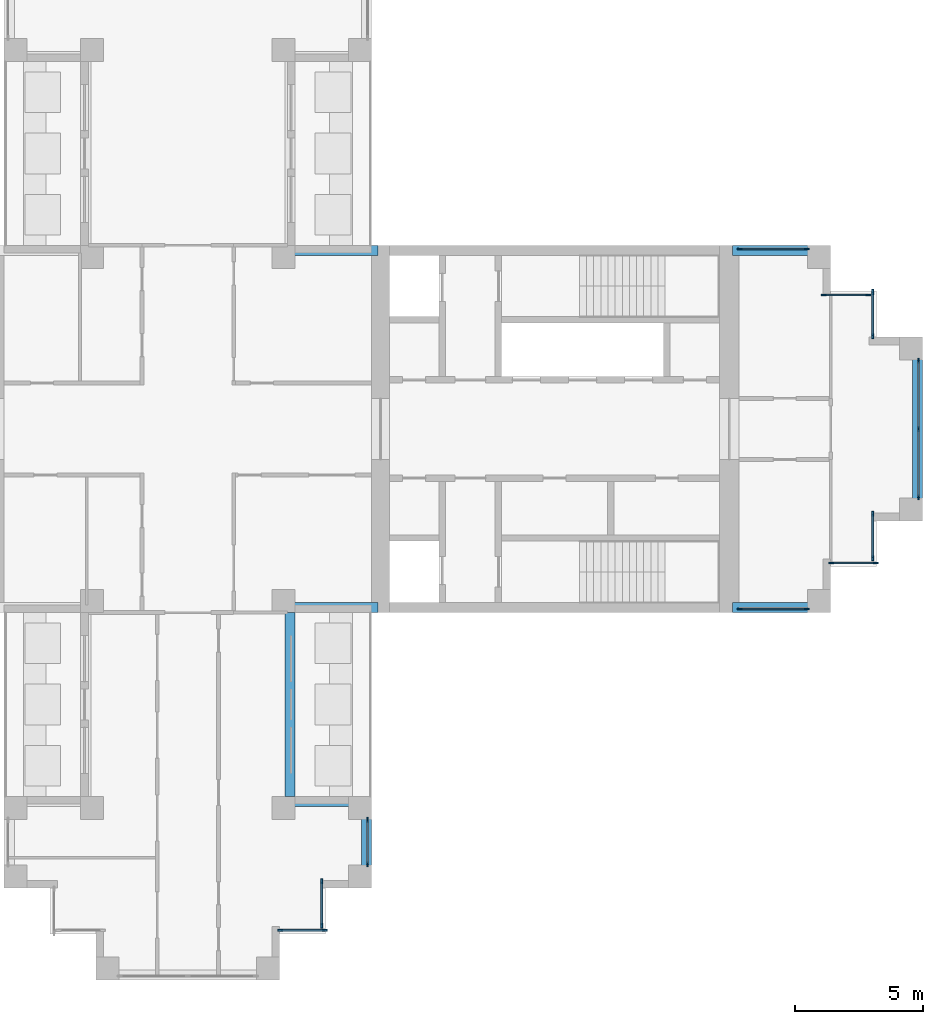
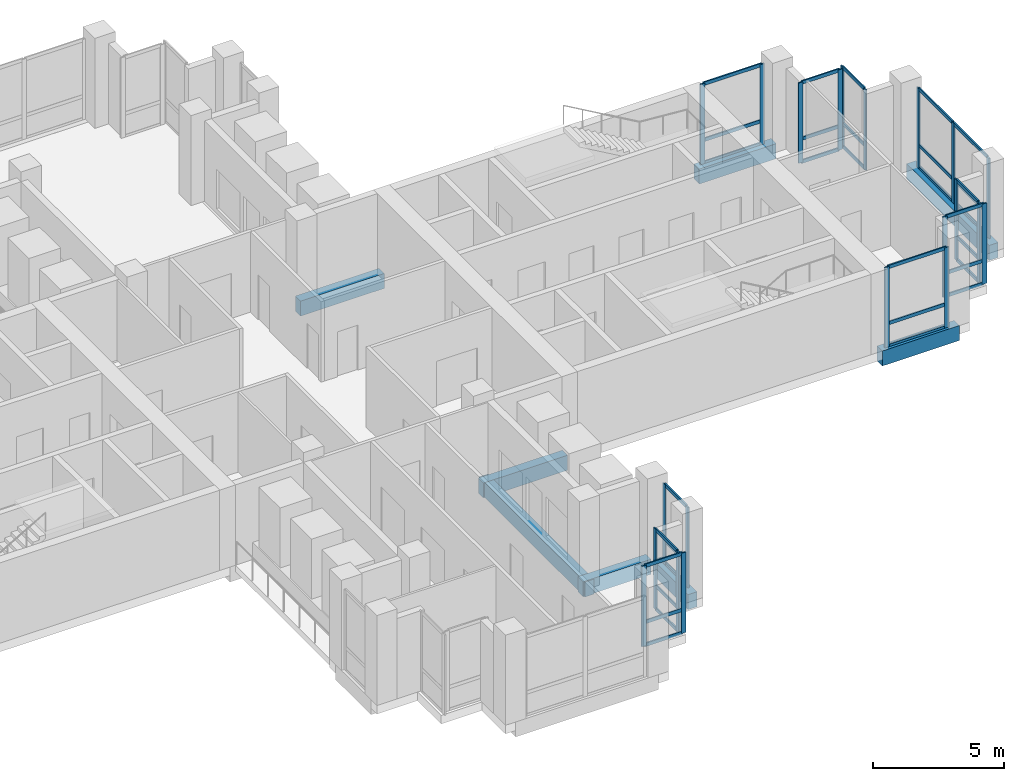
# One storey, part 4 of 13: 54 members, 8 beams, 10 elements without a shape of their own.
"""IFC4 building model written with IfcOpenShell, lengths in metres."""

from ifc_helpers import new_model, si_unit, direction, frame, origin, origin_2d, place, context, subcontext, project, spatial, rectangle, extrude, material, material_profile, profile_set, type_object, element, aggregate, save


model = new_model("IFC4")

# Units and contexts
model_context = context("Model", 3, precision=1e-05, world=origin(), true_north=direction((0.0, 1.0)))
body_context = subcontext(model_context, "Body", "Model", "MODEL_VIEW")
ifc_project = project(units=[si_unit("LENGTHUNIT", "METRE"), si_unit("AREAUNIT", "SQUARE_METRE"), si_unit("VOLUMEUNIT", "CUBIC_METRE"), si_unit("PLANEANGLEUNIT", "RADIAN"), si_unit("MASSUNIT", "GRAM", prefix="KILO")], contexts=[model_context])

# Site, building, storey
site_placement = place(None, origin())
site = spatial("IfcSite", under=ifc_project, at=site_placement, CompositionType="ELEMENT")
building_placement = place(site_placement, origin())
building = spatial("IfcBuilding", under=site, at=building_placement, Name="Fustian Cross Tower", CompositionType="ELEMENT")
storey_placement = place(building_placement, frame((0.0, 0.0, 237.89990234375)))
storey = spatial("IfcBuildingStorey", under=building, at=storey_placement, Name="L75", CompositionType="ELEMENT", Elevation=237.89990234375)

# Curtain wall, members
ifc_material_1 = material(Name="Dark anodised aluminium and double glazing", Category="aluminium")
curtain_wall_type = type_object("IfcCurtainWallType", Name="CW2 SUMMIT LOUNGE CURTAIN WALL", PredefinedType="NOTDEFINED", material=ifc_material_1)
curtain_wall_1_placement = place(storey_placement, origin())
curtain_wall_1 = element("IfcCurtainWall", 1, at=curtain_wall_1_placement, inside=storey, type_object=curtain_wall_type, Name="Curtain wall", PredefinedType="NOTDEFINED")
ifc_material_2 = material(Name="Aluminium alloy 6063", Category="aluminium")
ifc_material_profile_1 = material_profile(ifc_material_2, rectangle(XDim=0.06005859375, YDim=0.199951171875, at=origin_2d()), Name="CW2 MULLION 60X200")
ifc_profile_set_1 = profile_set([ifc_material_profile_1], Name="Aluminium alloy 6063")
member_type_1 = type_object("IfcMemberType", Name="CW2 MULLION 60X200", PredefinedType="MULLION", material=ifc_profile_set_1)
member_1_placement = place(storey_placement, frame((21.6298828125, -7.050048828125, 0.0), z_axis=(0.0, 0.0, 1.0), x_axis=(0.0, 1.0, 0.0)))
member_1 = element("IfcMember", 2, at=member_1_placement, type_object=member_type_1, Name="CW2 mullion 1", PredefinedType="MULLION", context=body_context, shape_type="SweptSolid", body=[
    extrude(rectangle(XDim=0.06005859375, YDim=0.199951171875, at=origin_2d()), origin(), (0.0, 0.0, 1.0), 3.75),
])
member_2_placement = place(storey_placement, frame((24.27001953125, -7.050048828125, 0.0), z_axis=(0.0, 0.0, 1.0), x_axis=(0.0, 1.0, 0.0)))
member_2 = element("IfcMember", 3, at=member_2_placement, type_object=member_type_1, Name="CW2 mullion 2", PredefinedType="MULLION", context=body_context, shape_type="SweptSolid", body=[
    extrude(rectangle(XDim=0.06005859375, YDim=0.199951171875, at=origin_2d()), origin(), (0.0, 0.0, 1.0), 3.75),
])

curtain_wall_2_placement = place(storey_placement, origin())
curtain_wall_2 = element("IfcCurtainWall", 4, at=curtain_wall_2_placement, inside=storey, type_object=curtain_wall_type, Name="Curtain wall", PredefinedType="NOTDEFINED")
member_3_placement = place(storey_placement, frame((25.22998046875, -5.25, 0.0), z_axis=(0.0, 0.0, 1.0), x_axis=(0.0, 1.0, 0.0)))
member_3 = element("IfcMember", 5, at=member_3_placement, type_object=member_type_1, Name="CW2 mullion 1", PredefinedType="MULLION", context=body_context, shape_type="SweptSolid", body=[
    extrude(rectangle(XDim=0.06005859375, YDim=0.199951171875, at=origin_2d()), origin(), (0.0, 0.0, 1.0), 3.75),
])
member_4_placement = place(storey_placement, frame((26.969970703125, -5.25, 0.0), z_axis=(0.0, 0.0, 1.0), x_axis=(0.0, 1.0, 0.0)))
member_4 = element("IfcMember", 6, at=member_4_placement, type_object=member_type_1, Name="CW2 mullion 2", PredefinedType="MULLION", context=body_context, shape_type="SweptSolid", body=[
    extrude(rectangle(XDim=0.06005859375, YDim=0.199951171875, at=origin_2d()), origin(), (0.0, 0.0, 1.0), 3.75),
])

curtain_wall_3_placement = place(storey_placement, origin())
curtain_wall_3 = element("IfcCurtainWall", 7, at=curtain_wall_3_placement, inside=storey, type_object=curtain_wall_type, Name="Curtain wall", PredefinedType="NOTDEFINED")
member_5_placement = place(storey_placement, frame((26.85009765625, -5.070068359375, 0.0), z_axis=(0.0, 0.0, 1.0), x_axis=(-1.0, 0.0, 0.0)))
member_5 = element("IfcMember", 8, at=member_5_placement, type_object=member_type_1, Name="CW2 mullion 1", PredefinedType="MULLION", context=body_context, shape_type="SweptSolid", body=[
    extrude(rectangle(XDim=0.06005859375, YDim=0.199951171875, at=origin_2d()), origin(), (0.0, 0.0, 1.0), 3.75),
])
member_6_placement = place(storey_placement, frame((26.85009765625, -3.330078125, 0.0), z_axis=(0.0, 0.0, 1.0), x_axis=(-1.0, 0.0, 0.0)))
member_6 = element("IfcMember", 9, at=member_6_placement, type_object=member_type_1, Name="CW2 mullion 2", PredefinedType="MULLION", context=body_context, shape_type="SweptSolid", body=[
    extrude(rectangle(XDim=0.06005859375, YDim=0.199951171875, at=origin_2d()), origin(), (0.0, 0.0, 1.0), 3.75),
])

curtain_wall_4_placement = place(storey_placement, origin())
curtain_wall_4 = element("IfcCurtainWall", 10, at=curtain_wall_4_placement, inside=storey, type_object=curtain_wall_type, Name="Curtain wall", PredefinedType="NOTDEFINED")
member_7_placement = place(storey_placement, frame((28.64990234375, -2.669921875, 0.0), z_axis=(0.0, 0.0, 1.0), x_axis=(-1.0, 0.0, 0.0)))
member_7 = element("IfcMember", 11, at=member_7_placement, type_object=member_type_1, Name="CW2 mullion 1", PredefinedType="MULLION", context=body_context, shape_type="SweptSolid", body=[
    extrude(rectangle(XDim=0.06005859375, YDim=0.199951171875, at=origin_2d()), origin(), (0.0, 0.0, 1.0), 3.75),
])
member_8_placement = place(storey_placement, frame((28.64990234375, 0.0, 0.0), z_axis=(0.0, 0.0, 1.0), x_axis=(-1.0, 0.0, 0.0)))
member_8 = element("IfcMember", 12, at=member_8_placement, type_object=member_type_1, Name="CW2 mullion 2", PredefinedType="MULLION", context=body_context, shape_type="SweptSolid", body=[
    extrude(rectangle(XDim=0.06005859375, YDim=0.199951171875, at=origin_2d()), origin(), (0.0, 0.0, 1.0), 3.75),
])
member_9_placement = place(storey_placement, frame((28.64990234375, 2.669921875, 0.0), z_axis=(0.0, 0.0, 1.0), x_axis=(-1.0, 0.0, 0.0)))
member_9 = element("IfcMember", 13, at=member_9_placement, type_object=member_type_1, Name="CW2 mullion 3", PredefinedType="MULLION", context=body_context, shape_type="SweptSolid", body=[
    extrude(rectangle(XDim=0.06005859375, YDim=0.199951171875, at=origin_2d()), origin(), (0.0, 0.0, 1.0), 3.75),
])

curtain_wall_5_placement = place(storey_placement, origin())
curtain_wall_5 = element("IfcCurtainWall", 14, at=curtain_wall_5_placement, inside=storey, type_object=curtain_wall_type, Name="Curtain wall", PredefinedType="NOTDEFINED")
member_10_placement = place(storey_placement, frame((26.85009765625, 3.6298828125, 0.0), z_axis=(0.0, 0.0, 1.0), x_axis=(-1.0, 0.0, 0.0)))
member_10 = element("IfcMember", 15, at=member_10_placement, type_object=member_type_1, Name="CW2 mullion 1", PredefinedType="MULLION", context=body_context, shape_type="SweptSolid", body=[
    extrude(rectangle(XDim=0.06005859375, YDim=0.199951171875, at=origin_2d()), origin(), (0.0, 0.0, 1.0), 3.75),
])
member_11_placement = place(storey_placement, frame((26.85009765625, 5.3701171875, 0.0), z_axis=(0.0, 0.0, 1.0), x_axis=(-1.0, 0.0, 0.0)))
member_11 = element("IfcMember", 16, at=member_11_placement, type_object=member_type_1, Name="CW2 mullion 2", PredefinedType="MULLION", context=body_context, shape_type="SweptSolid", body=[
    extrude(rectangle(XDim=0.06005859375, YDim=0.199951171875, at=origin_2d()), origin(), (0.0, 0.0, 1.0), 3.75),
])

curtain_wall_6_placement = place(storey_placement, origin())
curtain_wall_6 = element("IfcCurtainWall", 17, at=curtain_wall_6_placement, inside=storey, type_object=curtain_wall_type, Name="Curtain wall", PredefinedType="NOTDEFINED")
member_12_placement = place(storey_placement, frame((26.669921875, 5.25, 0.0), z_axis=(0.0, 0.0, 1.0), x_axis=(0.0, -1.0, 0.0)))
member_12 = element("IfcMember", 18, at=member_12_placement, type_object=member_type_1, Name="CW2 mullion 1", PredefinedType="MULLION", context=body_context, shape_type="SweptSolid", body=[
    extrude(rectangle(XDim=0.06005859375, YDim=0.199951171875, at=origin_2d()), origin(), (0.0, 0.0, 1.0), 3.75),
])
member_13_placement = place(storey_placement, frame((24.929931640625, 5.25, 0.0), z_axis=(0.0, 0.0, 1.0), x_axis=(0.0, -1.0, 0.0)))
member_13 = element("IfcMember", 19, at=member_13_placement, type_object=member_type_1, Name="CW2 mullion 2", PredefinedType="MULLION", context=body_context, shape_type="SweptSolid", body=[
    extrude(rectangle(XDim=0.06005859375, YDim=0.199951171875, at=origin_2d()), origin(), (0.0, 0.0, 1.0), 3.75),
])

curtain_wall_7_placement = place(storey_placement, origin())
curtain_wall_7 = element("IfcCurtainWall", 20, at=curtain_wall_7_placement, inside=storey, type_object=curtain_wall_type, Name="Curtain wall", PredefinedType="NOTDEFINED")
member_14_placement = place(storey_placement, frame((24.27001953125, 7.050048828125, 0.0), z_axis=(0.0, 0.0, 1.0), x_axis=(0.0, -1.0, 0.0)))
member_14 = element("IfcMember", 21, at=member_14_placement, type_object=member_type_1, Name="CW2 mullion 1", PredefinedType="MULLION", context=body_context, shape_type="SweptSolid", body=[
    extrude(rectangle(XDim=0.06005859375, YDim=0.199951171875, at=origin_2d()), origin(), (0.0, 0.0, 1.0), 3.75),
])
member_15_placement = place(storey_placement, frame((21.6298828125, 7.050048828125, 0.0), z_axis=(0.0, 0.0, 1.0), x_axis=(0.0, -1.0, 0.0)))
member_15 = element("IfcMember", 22, at=member_15_placement, type_object=member_type_1, Name="CW2 mullion 2", PredefinedType="MULLION", context=body_context, shape_type="SweptSolid", body=[
    extrude(rectangle(XDim=0.06005859375, YDim=0.199951171875, at=origin_2d()), origin(), (0.0, 0.0, 1.0), 3.75),
])

curtain_wall_8_placement = place(storey_placement, origin())
curtain_wall_8 = element("IfcCurtainWall", 23, at=curtain_wall_8_placement, inside=storey, type_object=curtain_wall_type, Name="Curtain wall", PredefinedType="NOTDEFINED")
member_16_placement = place(storey_placement, frame((3.6298828125, -19.64990234375, 0.0), z_axis=(0.0, 0.0, 1.0), x_axis=(0.0, 1.0, 0.0)))
member_16 = element("IfcMember", 24, at=member_16_placement, type_object=member_type_1, Name="CW2 mullion 1", PredefinedType="MULLION", context=body_context, shape_type="SweptSolid", body=[
    extrude(rectangle(XDim=0.06005859375, YDim=0.199951171875, at=origin_2d()), origin(), (0.0, 0.0, 1.0), 3.75),
])
member_17_placement = place(storey_placement, frame((5.3701171875, -19.64990234375, 0.0), z_axis=(0.0, 0.0, 1.0), x_axis=(0.0, 1.0, 0.0)))
member_17 = element("IfcMember", 25, at=member_17_placement, type_object=member_type_1, Name="CW2 mullion 2", PredefinedType="MULLION", context=body_context, shape_type="SweptSolid", body=[
    extrude(rectangle(XDim=0.06005859375, YDim=0.199951171875, at=origin_2d()), origin(), (0.0, 0.0, 1.0), 3.75),
])

curtain_wall_9_placement = place(storey_placement, origin())
curtain_wall_9 = element("IfcCurtainWall", 26, at=curtain_wall_9_placement, inside=storey, type_object=curtain_wall_type, Name="Curtain wall", PredefinedType="NOTDEFINED")
member_18_placement = place(storey_placement, frame((5.25, -19.469970703125, 0.0), z_axis=(0.0, 0.0, 1.0), x_axis=(-1.0, 0.0, 0.0)))
member_18 = element("IfcMember", 27, at=member_18_placement, type_object=member_type_1, Name="CW2 mullion 1", PredefinedType="MULLION", context=body_context, shape_type="SweptSolid", body=[
    extrude(rectangle(XDim=0.06005859375, YDim=0.199951171875, at=origin_2d()), origin(), (0.0, 0.0, 1.0), 3.75),
])
member_19_placement = place(storey_placement, frame((5.25, -17.72998046875, 0.0), z_axis=(0.0, 0.0, 1.0), x_axis=(-1.0, 0.0, 0.0)))
member_19 = element("IfcMember", 28, at=member_19_placement, type_object=member_type_1, Name="CW2 mullion 2", PredefinedType="MULLION", context=body_context, shape_type="SweptSolid", body=[
    extrude(rectangle(XDim=0.06005859375, YDim=0.199951171875, at=origin_2d()), origin(), (0.0, 0.0, 1.0), 3.75),
])

curtain_wall_10_placement = place(storey_placement, origin())
curtain_wall_10 = element("IfcCurtainWall", 29, at=curtain_wall_10_placement, inside=storey, type_object=curtain_wall_type, Name="Curtain wall", PredefinedType="NOTDEFINED")
member_20_placement = place(storey_placement, frame((7.050048828125, -17.070068359375, 0.0), z_axis=(0.0, 0.0, 1.0), x_axis=(-1.0, 0.0, 0.0)))
member_20 = element("IfcMember", 30, at=member_20_placement, type_object=member_type_1, Name="CW2 mullion 1", PredefinedType="MULLION", context=body_context, shape_type="SweptSolid", body=[
    extrude(rectangle(XDim=0.06005859375, YDim=0.199951171875, at=origin_2d()), origin(), (0.0, 0.0, 1.0), 3.75),
])
member_21_placement = place(storey_placement, frame((7.050048828125, -15.330078125, 0.0), z_axis=(0.0, 0.0, 1.0), x_axis=(-1.0, 0.0, 0.0)))
member_21 = element("IfcMember", 31, at=member_21_placement, type_object=member_type_1, Name="CW2 mullion 2", PredefinedType="MULLION", context=body_context, shape_type="SweptSolid", body=[
    extrude(rectangle(XDim=0.06005859375, YDim=0.199951171875, at=origin_2d()), origin(), (0.0, 0.0, 1.0), 3.75),
])

# Member
ifc_material_3 = material(Name="Aluminium alloy 6063", Category="aluminium")
ifc_material_profile_2 = material_profile(ifc_material_3, rectangle(XDim=0.06005859375, YDim=0.159912109375, at=origin_2d()), Name="CW2 TRANSOM 60X160")
ifc_profile_set_2 = profile_set([ifc_material_profile_2], Name="Aluminium alloy 6063")
member_type_2 = type_object("IfcMemberType", Name="CW2 TRANSOM 60X160", PredefinedType="USERDEFINED", material=ifc_profile_set_2)
member_22_placement = place(storey_placement, frame((21.659912109375, -7.050048828125, 0.030029296875), z_axis=(1.0, 0.0, 0.0), x_axis=(0.0, 1.0, 0.0)))
member_22 = element("IfcMember", 32, at=member_22_placement, type_object=member_type_2, Name="CW2 transom 1.1", ObjectType="TRANSOM", PredefinedType="USERDEFINED", context=body_context, shape_type="SweptSolid", body=[
    extrude(rectangle(XDim=0.06005859375, YDim=0.159912109375, at=origin_2d()), origin(), (0.0, 0.0, 1.0), 2.580078125),
])

member_23_placement = place(storey_placement, frame((21.659912109375, -7.050048828125, 1.10009765625), z_axis=(1.0, 0.0, 0.0), x_axis=(0.0, 1.0, 0.0)))
member_23 = element("IfcMember", 33, at=member_23_placement, type_object=member_type_2, Name="CW2 transom 1.2", ObjectType="TRANSOM", PredefinedType="USERDEFINED", context=body_context, shape_type="SweptSolid", body=[
    extrude(rectangle(XDim=0.06005859375, YDim=0.159912109375, at=origin_2d()), origin(), (0.0, 0.0, 1.0), 2.580078125),
])

member_24_placement = place(storey_placement, frame((21.659912109375, -7.050048828125, 3.72021484375), z_axis=(1.0, 0.0, 0.0), x_axis=(0.0, 1.0, 0.0)))
member_24 = element("IfcMember", 34, at=member_24_placement, type_object=member_type_2, Name="CW2 transom 1.3", ObjectType="TRANSOM", PredefinedType="USERDEFINED", context=body_context, shape_type="SweptSolid", body=[
    extrude(rectangle(XDim=0.06005859375, YDim=0.159912109375, at=origin_2d()), origin(), (0.0, 0.0, 1.0), 2.580078125),
])

aggregate(curtain_wall_1, [member_1, member_2, member_22, member_23, member_24])

member_25_placement = place(storey_placement, frame((25.260009765625, -5.25, 0.030029296875), z_axis=(1.0, 0.0, 0.0), x_axis=(0.0, 1.0, 0.0)))
member_25 = element("IfcMember", 35, at=member_25_placement, type_object=member_type_2, Name="CW2 transom 1.1", ObjectType="TRANSOM", PredefinedType="USERDEFINED", context=body_context, shape_type="SweptSolid", body=[
    extrude(rectangle(XDim=0.06005859375, YDim=0.159912109375, at=origin_2d()), origin(), (0.0, 0.0, 1.0), 1.679931640625),
])

member_26_placement = place(storey_placement, frame((25.260009765625, -5.25, 1.10009765625), z_axis=(1.0, 0.0, 0.0), x_axis=(0.0, 1.0, 0.0)))
member_26 = element("IfcMember", 36, at=member_26_placement, type_object=member_type_2, Name="CW2 transom 1.2", ObjectType="TRANSOM", PredefinedType="USERDEFINED", context=body_context, shape_type="SweptSolid", body=[
    extrude(rectangle(XDim=0.06005859375, YDim=0.159912109375, at=origin_2d()), origin(), (0.0, 0.0, 1.0), 1.679931640625),
])

member_27_placement = place(storey_placement, frame((25.260009765625, -5.25, 3.72021484375), z_axis=(1.0, 0.0, 0.0), x_axis=(0.0, 1.0, 0.0)))
member_27 = element("IfcMember", 37, at=member_27_placement, type_object=member_type_2, Name="CW2 transom 1.3", ObjectType="TRANSOM", PredefinedType="USERDEFINED", context=body_context, shape_type="SweptSolid", body=[
    extrude(rectangle(XDim=0.06005859375, YDim=0.159912109375, at=origin_2d()), origin(), (0.0, 0.0, 1.0), 1.679931640625),
])

aggregate(curtain_wall_2, [member_3, member_4, member_25, member_26, member_27])

member_28_placement = place(storey_placement, frame((26.85009765625, -5.0400390625, 0.030029296875), z_axis=(0.0, 1.0, 0.0), x_axis=(-1.0, 0.0, 0.0)))
member_28 = element("IfcMember", 38, at=member_28_placement, type_object=member_type_2, Name="CW2 transom 1.1", ObjectType="TRANSOM", PredefinedType="USERDEFINED", context=body_context, shape_type="SweptSolid", body=[
    extrude(rectangle(XDim=0.06005859375, YDim=0.159912109375, at=origin_2d()), origin(), (0.0, 0.0, 1.0), 1.679931640625),
])

member_29_placement = place(storey_placement, frame((26.85009765625, -5.0400390625, 1.10009765625), z_axis=(0.0, 1.0, 0.0), x_axis=(-1.0, 0.0, 0.0)))
member_29 = element("IfcMember", 39, at=member_29_placement, type_object=member_type_2, Name="CW2 transom 1.2", ObjectType="TRANSOM", PredefinedType="USERDEFINED", context=body_context, shape_type="SweptSolid", body=[
    extrude(rectangle(XDim=0.06005859375, YDim=0.159912109375, at=origin_2d()), origin(), (0.0, 0.0, 1.0), 1.679931640625),
])

member_30_placement = place(storey_placement, frame((26.85009765625, -5.0400390625, 3.72021484375), z_axis=(0.0, 1.0, 0.0), x_axis=(-1.0, 0.0, 0.0)))
member_30 = element("IfcMember", 40, at=member_30_placement, type_object=member_type_2, Name="CW2 transom 1.3", ObjectType="TRANSOM", PredefinedType="USERDEFINED", context=body_context, shape_type="SweptSolid", body=[
    extrude(rectangle(XDim=0.06005859375, YDim=0.159912109375, at=origin_2d()), origin(), (0.0, 0.0, 1.0), 1.679931640625),
])

aggregate(curtain_wall_3, [member_5, member_6, member_28, member_29, member_30])

member_31_placement = place(storey_placement, frame((28.64990234375, -2.639892578125, 0.030029296875), z_axis=(0.0, 1.0, 0.0), x_axis=(-1.0, 0.0, 0.0)))
member_31 = element("IfcMember", 41, at=member_31_placement, type_object=member_type_2, Name="CW2 transom 1.1", ObjectType="TRANSOM", PredefinedType="USERDEFINED", context=body_context, shape_type="SweptSolid", body=[
    extrude(rectangle(XDim=0.06005859375, YDim=0.159912109375, at=origin_2d()), origin(), (0.0, 0.0, 1.0), 2.60986328125),
])

member_32_placement = place(storey_placement, frame((28.64990234375, -2.639892578125, 1.10009765625), z_axis=(0.0, 1.0, 0.0), x_axis=(-1.0, 0.0, 0.0)))
member_32 = element("IfcMember", 42, at=member_32_placement, type_object=member_type_2, Name="CW2 transom 1.2", ObjectType="TRANSOM", PredefinedType="USERDEFINED", context=body_context, shape_type="SweptSolid", body=[
    extrude(rectangle(XDim=0.06005859375, YDim=0.159912109375, at=origin_2d()), origin(), (0.0, 0.0, 1.0), 2.60986328125),
])

member_33_placement = place(storey_placement, frame((28.64990234375, -2.639892578125, 3.72021484375), z_axis=(0.0, 1.0, 0.0), x_axis=(-1.0, 0.0, 0.0)))
member_33 = element("IfcMember", 43, at=member_33_placement, type_object=member_type_2, Name="CW2 transom 1.3", ObjectType="TRANSOM", PredefinedType="USERDEFINED", context=body_context, shape_type="SweptSolid", body=[
    extrude(rectangle(XDim=0.06005859375, YDim=0.159912109375, at=origin_2d()), origin(), (0.0, 0.0, 1.0), 2.60986328125),
])

member_34_placement = place(storey_placement, frame((28.64990234375, 0.030029296875, 0.030029296875), z_axis=(0.0, 1.0, 0.0), x_axis=(-1.0, 0.0, 0.0)))
member_34 = element("IfcMember", 44, at=member_34_placement, type_object=member_type_2, Name="CW2 transom 2.1", ObjectType="TRANSOM", PredefinedType="USERDEFINED", context=body_context, shape_type="SweptSolid", body=[
    extrude(rectangle(XDim=0.06005859375, YDim=0.159912109375, at=origin_2d()), origin(), (0.0, 0.0, 1.0), 2.60986328125),
])

member_35_placement = place(storey_placement, frame((28.64990234375, 0.030029296875, 1.10009765625), z_axis=(0.0, 1.0, 0.0), x_axis=(-1.0, 0.0, 0.0)))
member_35 = element("IfcMember", 45, at=member_35_placement, type_object=member_type_2, Name="CW2 transom 2.2", ObjectType="TRANSOM", PredefinedType="USERDEFINED", context=body_context, shape_type="SweptSolid", body=[
    extrude(rectangle(XDim=0.06005859375, YDim=0.159912109375, at=origin_2d()), origin(), (0.0, 0.0, 1.0), 2.60986328125),
])

member_36_placement = place(storey_placement, frame((28.64990234375, 0.030029296875, 3.72021484375), z_axis=(0.0, 1.0, 0.0), x_axis=(-1.0, 0.0, 0.0)))
member_36 = element("IfcMember", 46, at=member_36_placement, type_object=member_type_2, Name="CW2 transom 2.3", ObjectType="TRANSOM", PredefinedType="USERDEFINED", context=body_context, shape_type="SweptSolid", body=[
    extrude(rectangle(XDim=0.06005859375, YDim=0.159912109375, at=origin_2d()), origin(), (0.0, 0.0, 1.0), 2.60986328125),
])

aggregate(curtain_wall_4, [member_7, member_8, member_9, member_31, member_32, member_33, member_34, member_35, member_36])

member_37_placement = place(storey_placement, frame((26.85009765625, 3.659912109375, 0.030029296875), z_axis=(0.0, 1.0, 0.0), x_axis=(-1.0, 0.0, 0.0)))
member_37 = element("IfcMember", 47, at=member_37_placement, type_object=member_type_2, Name="CW2 transom 1.1", ObjectType="TRANSOM", PredefinedType="USERDEFINED", context=body_context, shape_type="SweptSolid", body=[
    extrude(rectangle(XDim=0.06005859375, YDim=0.159912109375, at=origin_2d()), origin(), (0.0, 0.0, 1.0), 1.68017578125),
])

member_38_placement = place(storey_placement, frame((26.85009765625, 3.659912109375, 1.10009765625), z_axis=(0.0, 1.0, 0.0), x_axis=(-1.0, 0.0, 0.0)))
member_38 = element("IfcMember", 48, at=member_38_placement, type_object=member_type_2, Name="CW2 transom 1.2", ObjectType="TRANSOM", PredefinedType="USERDEFINED", context=body_context, shape_type="SweptSolid", body=[
    extrude(rectangle(XDim=0.06005859375, YDim=0.159912109375, at=origin_2d()), origin(), (0.0, 0.0, 1.0), 1.68017578125),
])

member_39_placement = place(storey_placement, frame((26.85009765625, 3.659912109375, 3.72021484375), z_axis=(0.0, 1.0, 0.0), x_axis=(-1.0, 0.0, 0.0)))
member_39 = element("IfcMember", 49, at=member_39_placement, type_object=member_type_2, Name="CW2 transom 1.3", ObjectType="TRANSOM", PredefinedType="USERDEFINED", context=body_context, shape_type="SweptSolid", body=[
    extrude(rectangle(XDim=0.06005859375, YDim=0.159912109375, at=origin_2d()), origin(), (0.0, 0.0, 1.0), 1.68017578125),
])

aggregate(curtain_wall_5, [member_10, member_11, member_37, member_38, member_39])

member_40_placement = place(storey_placement, frame((26.639892578125, 5.25, 0.030029296875), z_axis=(-1.0, 0.0, 0.0), x_axis=(0.0, -1.0, 0.0)))
member_40 = element("IfcMember", 50, at=member_40_placement, type_object=member_type_2, Name="CW2 transom 1.1", ObjectType="TRANSOM", PredefinedType="USERDEFINED", context=body_context, shape_type="SweptSolid", body=[
    extrude(rectangle(XDim=0.06005859375, YDim=0.159912109375, at=origin_2d()), origin(), (0.0, 0.0, 1.0), 1.679931640625),
])

member_41_placement = place(storey_placement, frame((26.639892578125, 5.25, 1.10009765625), z_axis=(-1.0, 0.0, 0.0), x_axis=(0.0, -1.0, 0.0)))
member_41 = element("IfcMember", 51, at=member_41_placement, type_object=member_type_2, Name="CW2 transom 1.2", ObjectType="TRANSOM", PredefinedType="USERDEFINED", context=body_context, shape_type="SweptSolid", body=[
    extrude(rectangle(XDim=0.06005859375, YDim=0.159912109375, at=origin_2d()), origin(), (0.0, 0.0, 1.0), 1.679931640625),
])

member_42_placement = place(storey_placement, frame((26.639892578125, 5.25, 3.72021484375), z_axis=(-1.0, 0.0, 0.0), x_axis=(0.0, -1.0, 0.0)))
member_42 = element("IfcMember", 52, at=member_42_placement, type_object=member_type_2, Name="CW2 transom 1.3", ObjectType="TRANSOM", PredefinedType="USERDEFINED", context=body_context, shape_type="SweptSolid", body=[
    extrude(rectangle(XDim=0.06005859375, YDim=0.159912109375, at=origin_2d()), origin(), (0.0, 0.0, 1.0), 1.679931640625),
])

aggregate(curtain_wall_6, [member_12, member_13, member_40, member_41, member_42])

member_43_placement = place(storey_placement, frame((24.239990234375, 7.050048828125, 0.030029296875), z_axis=(-1.0, 0.0, 0.0), x_axis=(0.0, -1.0, 0.0)))
member_43 = element("IfcMember", 53, at=member_43_placement, type_object=member_type_2, Name="CW2 transom 1.1", ObjectType="TRANSOM", PredefinedType="USERDEFINED", context=body_context, shape_type="SweptSolid", body=[
    extrude(rectangle(XDim=0.06005859375, YDim=0.159912109375, at=origin_2d()), origin(), (0.0, 0.0, 1.0), 2.580078125),
])

member_44_placement = place(storey_placement, frame((24.239990234375, 7.050048828125, 1.10009765625), z_axis=(-1.0, 0.0, 0.0), x_axis=(0.0, -1.0, 0.0)))
member_44 = element("IfcMember", 54, at=member_44_placement, type_object=member_type_2, Name="CW2 transom 1.2", ObjectType="TRANSOM", PredefinedType="USERDEFINED", context=body_context, shape_type="SweptSolid", body=[
    extrude(rectangle(XDim=0.06005859375, YDim=0.159912109375, at=origin_2d()), origin(), (0.0, 0.0, 1.0), 2.580078125),
])

member_45_placement = place(storey_placement, frame((24.239990234375, 7.050048828125, 3.72021484375), z_axis=(-1.0, 0.0, 0.0), x_axis=(0.0, -1.0, 0.0)))
member_45 = element("IfcMember", 55, at=member_45_placement, type_object=member_type_2, Name="CW2 transom 1.3", ObjectType="TRANSOM", PredefinedType="USERDEFINED", context=body_context, shape_type="SweptSolid", body=[
    extrude(rectangle(XDim=0.06005859375, YDim=0.159912109375, at=origin_2d()), origin(), (0.0, 0.0, 1.0), 2.580078125),
])

aggregate(curtain_wall_7, [member_14, member_15, member_43, member_44, member_45])

member_46_placement = place(storey_placement, frame((3.659912109375, -19.64990234375, 0.030029296875), z_axis=(1.0, 0.0, 0.0), x_axis=(0.0, 1.0, 0.0)))
member_46 = element("IfcMember", 56, at=member_46_placement, type_object=member_type_2, Name="CW2 transom 1.1", ObjectType="TRANSOM", PredefinedType="USERDEFINED", context=body_context, shape_type="SweptSolid", body=[
    extrude(rectangle(XDim=0.06005859375, YDim=0.159912109375, at=origin_2d()), origin(), (0.0, 0.0, 1.0), 1.68017578125),
])

member_47_placement = place(storey_placement, frame((3.659912109375, -19.64990234375, 1.10009765625), z_axis=(1.0, 0.0, 0.0), x_axis=(0.0, 1.0, 0.0)))
member_47 = element("IfcMember", 57, at=member_47_placement, type_object=member_type_2, Name="CW2 transom 1.2", ObjectType="TRANSOM", PredefinedType="USERDEFINED", context=body_context, shape_type="SweptSolid", body=[
    extrude(rectangle(XDim=0.06005859375, YDim=0.159912109375, at=origin_2d()), origin(), (0.0, 0.0, 1.0), 1.68017578125),
])

member_48_placement = place(storey_placement, frame((3.659912109375, -19.64990234375, 3.72021484375), z_axis=(1.0, 0.0, 0.0), x_axis=(0.0, 1.0, 0.0)))
member_48 = element("IfcMember", 58, at=member_48_placement, type_object=member_type_2, Name="CW2 transom 1.3", ObjectType="TRANSOM", PredefinedType="USERDEFINED", context=body_context, shape_type="SweptSolid", body=[
    extrude(rectangle(XDim=0.06005859375, YDim=0.159912109375, at=origin_2d()), origin(), (0.0, 0.0, 1.0), 1.68017578125),
])

aggregate(curtain_wall_8, [member_16, member_17, member_46, member_47, member_48])

member_49_placement = place(storey_placement, frame((5.25, -19.43994140625, 0.030029296875), z_axis=(0.0, 1.0, 0.0), x_axis=(-1.0, 0.0, 0.0)))
member_49 = element("IfcMember", 59, at=member_49_placement, type_object=member_type_2, Name="CW2 transom 1.1", ObjectType="TRANSOM", PredefinedType="USERDEFINED", context=body_context, shape_type="SweptSolid", body=[
    extrude(rectangle(XDim=0.06005859375, YDim=0.159912109375, at=origin_2d()), origin(), (0.0, 0.0, 1.0), 1.679931640625),
])

member_50_placement = place(storey_placement, frame((5.25, -19.43994140625, 1.10009765625), z_axis=(0.0, 1.0, 0.0), x_axis=(-1.0, 0.0, 0.0)))
member_50 = element("IfcMember", 60, at=member_50_placement, type_object=member_type_2, Name="CW2 transom 1.2", ObjectType="TRANSOM", PredefinedType="USERDEFINED", context=body_context, shape_type="SweptSolid", body=[
    extrude(rectangle(XDim=0.06005859375, YDim=0.159912109375, at=origin_2d()), origin(), (0.0, 0.0, 1.0), 1.679931640625),
])

member_51_placement = place(storey_placement, frame((5.25, -19.43994140625, 3.72021484375), z_axis=(0.0, 1.0, 0.0), x_axis=(-1.0, 0.0, 0.0)))
member_51 = element("IfcMember", 61, at=member_51_placement, type_object=member_type_2, Name="CW2 transom 1.3", ObjectType="TRANSOM", PredefinedType="USERDEFINED", context=body_context, shape_type="SweptSolid", body=[
    extrude(rectangle(XDim=0.06005859375, YDim=0.159912109375, at=origin_2d()), origin(), (0.0, 0.0, 1.0), 1.679931640625),
])

aggregate(curtain_wall_9, [member_18, member_19, member_49, member_50, member_51])

member_52_placement = place(storey_placement, frame((7.050048828125, -17.0400390625, 0.030029296875), z_axis=(0.0, 1.0, 0.0), x_axis=(-1.0, 0.0, 0.0)))
member_52 = element("IfcMember", 62, at=member_52_placement, type_object=member_type_2, Name="CW2 transom 1.1", ObjectType="TRANSOM", PredefinedType="USERDEFINED", context=body_context, shape_type="SweptSolid", body=[
    extrude(rectangle(XDim=0.06005859375, YDim=0.159912109375, at=origin_2d()), origin(), (0.0, 0.0, 1.0), 1.679931640625),
])

member_53_placement = place(storey_placement, frame((7.050048828125, -17.0400390625, 1.10009765625), z_axis=(0.0, 1.0, 0.0), x_axis=(-1.0, 0.0, 0.0)))
member_53 = element("IfcMember", 63, at=member_53_placement, type_object=member_type_2, Name="CW2 transom 1.2", ObjectType="TRANSOM", PredefinedType="USERDEFINED", context=body_context, shape_type="SweptSolid", body=[
    extrude(rectangle(XDim=0.06005859375, YDim=0.159912109375, at=origin_2d()), origin(), (0.0, 0.0, 1.0), 1.679931640625),
])

member_54_placement = place(storey_placement, frame((7.050048828125, -17.0400390625, 3.72021484375), z_axis=(0.0, 1.0, 0.0), x_axis=(-1.0, 0.0, 0.0)))
member_54 = element("IfcMember", 64, at=member_54_placement, type_object=member_type_2, Name="CW2 transom 1.3", ObjectType="TRANSOM", PredefinedType="USERDEFINED", context=body_context, shape_type="SweptSolid", body=[
    extrude(rectangle(XDim=0.06005859375, YDim=0.159912109375, at=origin_2d()), origin(), (0.0, 0.0, 1.0), 1.679931640625),
])

aggregate(curtain_wall_10, [member_20, member_21, member_52, member_53, member_54])

# Beams
ifc_material_4 = material(Name="Concrete C50/60", Category="concrete")
ifc_material_profile_3 = material_profile(ifc_material_4, rectangle(XDim=0.39990234375, YDim=0.699951171875, at=origin_2d()), Name="RC 400x700")
ifc_profile_set_3 = profile_set([ifc_material_profile_3], Name="Concrete C50/60")
beam_type = type_object("IfcBeamType", Name="EDGE BEAM RC 400x700 C50/60", PredefinedType="SPANDREL", material=ifc_profile_set_3)
beam_1_placement = place(storey_placement, frame((21.35009765625, -7.0, -0.349853515625), z_axis=(1.0, 0.0, 0.0), x_axis=(0.0, 1.0, 0.0)))
element("IfcBeam", 65, at=beam_1_placement, inside=storey, type_object=beam_type, Name="EDGE BEAM L75-01", PredefinedType="SPANDREL", context=body_context, shape_type="SweptSolid", body=[
    extrude(rectangle(XDim=0.39990234375, YDim=0.699951171875, at=origin_2d()), origin(), (0.0, 0.0, 1.0), 3.39990234375),
])
beam_2_placement = place(storey_placement, frame((28.60009765625, -3.14990234375, -0.349853515625), z_axis=(0.0, 1.0, 0.0), x_axis=(-1.0, 0.0, 0.0)))
element("IfcBeam", 66, at=beam_2_placement, inside=storey, type_object=beam_type, Name="EDGE BEAM L75-02", PredefinedType="SPANDREL", context=body_context, shape_type="SweptSolid", body=[
    extrude(rectangle(XDim=0.39990234375, YDim=0.699951171875, at=origin_2d()), origin(), (0.0, 0.0, 1.0), 6.2998046875),
])
beam_3_placement = place(storey_placement, frame((24.75, 7.0, -0.349853515625), z_axis=(-1.0, 0.0, 0.0), x_axis=(0.0, -1.0, 0.0)))
element("IfcBeam", 67, at=beam_3_placement, inside=storey, type_object=beam_type, Name="EDGE BEAM L75-03", PredefinedType="SPANDREL", context=body_context, shape_type="SweptSolid", body=[
    extrude(rectangle(XDim=0.39990234375, YDim=0.699951171875, at=origin_2d()), origin(), (0.0, 0.0, 1.0), 3.39990234375),
])
beam_4_placement = place(storey_placement, frame((7.449951171875, 7.0, -0.349853515625), z_axis=(-1.0, 0.0, 0.0), x_axis=(0.0, -1.0, 0.0)))
element("IfcBeam", 68, at=beam_4_placement, inside=storey, type_object=beam_type, Name="EDGE BEAM L75-04", PredefinedType="SPANDREL", context=body_context, shape_type="SweptSolid", body=[
    extrude(rectangle(XDim=0.39990234375, YDim=0.699951171875, at=origin_2d()), origin(), (0.0, 0.0, 1.0), 3.699951171875),
])
beam_5_placement = place(storey_placement, frame((7.0, -17.550048828125, -0.349853515625), z_axis=(0.0, 1.0, 0.0), x_axis=(-1.0, 0.0, 0.0)))
element("IfcBeam", 69, at=beam_5_placement, inside=storey, type_object=beam_type, Name="EDGE BEAM L75-21", PredefinedType="SPANDREL", context=body_context, shape_type="SweptSolid", body=[
    extrude(rectangle(XDim=0.39990234375, YDim=0.699951171875, at=origin_2d()), origin(), (0.0, 0.0, 1.0), 2.699951171875),
])
beam_6_placement = place(storey_placement, frame((6.75, -14.60009765625, -0.349853515625), z_axis=(-1.0, 0.0, 0.0), x_axis=(0.0, -1.0, 0.0)))
element("IfcBeam", 70, at=beam_6_placement, inside=storey, type_object=beam_type, Name="EDGE BEAM L75-22", PredefinedType="SPANDREL", context=body_context, shape_type="SweptSolid", body=[
    extrude(rectangle(XDim=0.39990234375, YDim=0.699951171875, at=origin_2d()), origin(), (0.0, 0.0, 1.0), 3.0),
])
beam_7_placement = place(storey_placement, frame((4.0, -14.85009765625, -0.349853515625), z_axis=(0.0, 1.0, 0.0), x_axis=(-1.0, 0.0, 0.0)))
element("IfcBeam", 71, at=beam_7_placement, inside=storey, type_object=beam_type, Name="EDGE BEAM L75-23", PredefinedType="SPANDREL", context=body_context, shape_type="SweptSolid", body=[
    extrude(rectangle(XDim=0.39990234375, YDim=0.699951171875, at=origin_2d()), origin(), (0.0, 0.0, 1.0), 8.10009765625),
])
beam_8_placement = place(storey_placement, frame((3.75, -7.0, -0.349853515625), z_axis=(1.0, 0.0, 0.0), x_axis=(0.0, 1.0, 0.0)))
element("IfcBeam", 72, at=beam_8_placement, inside=storey, type_object=beam_type, Name="EDGE BEAM L75-24", PredefinedType="SPANDREL", context=body_context, shape_type="SweptSolid", body=[
    extrude(rectangle(XDim=0.39990234375, YDim=0.699951171875, at=origin_2d()), origin(), (0.0, 0.0, 1.0), 3.699951171875),
])

save(model, "model.ifc")
